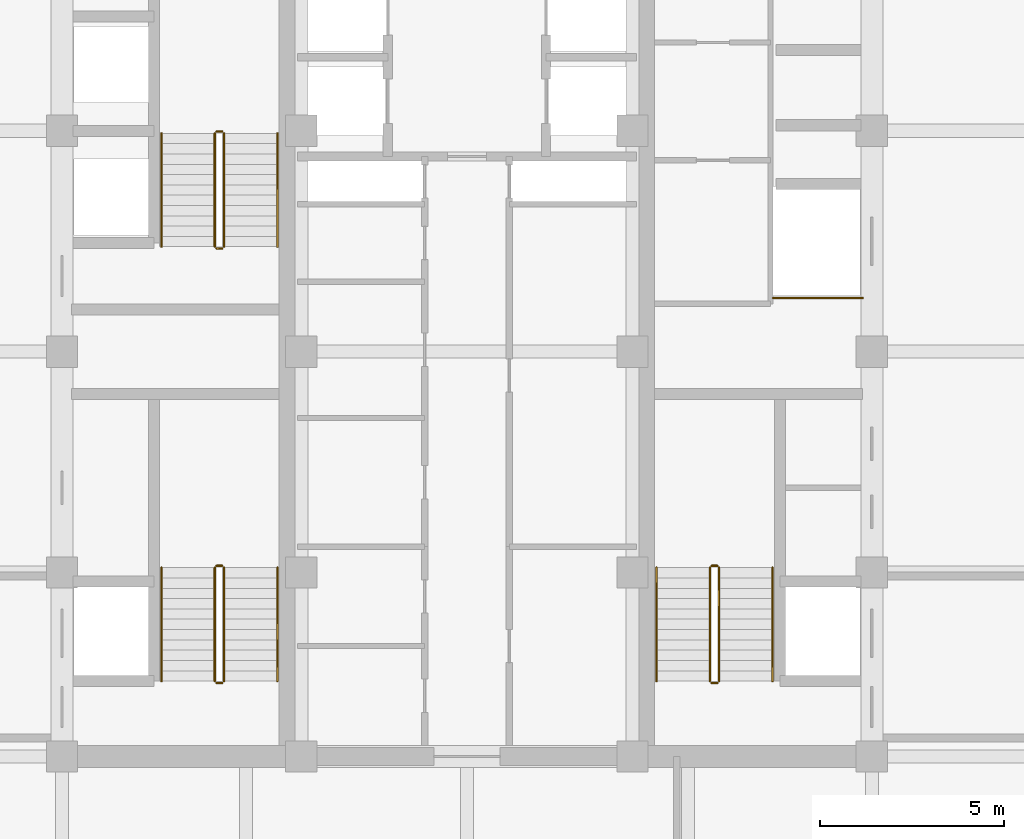
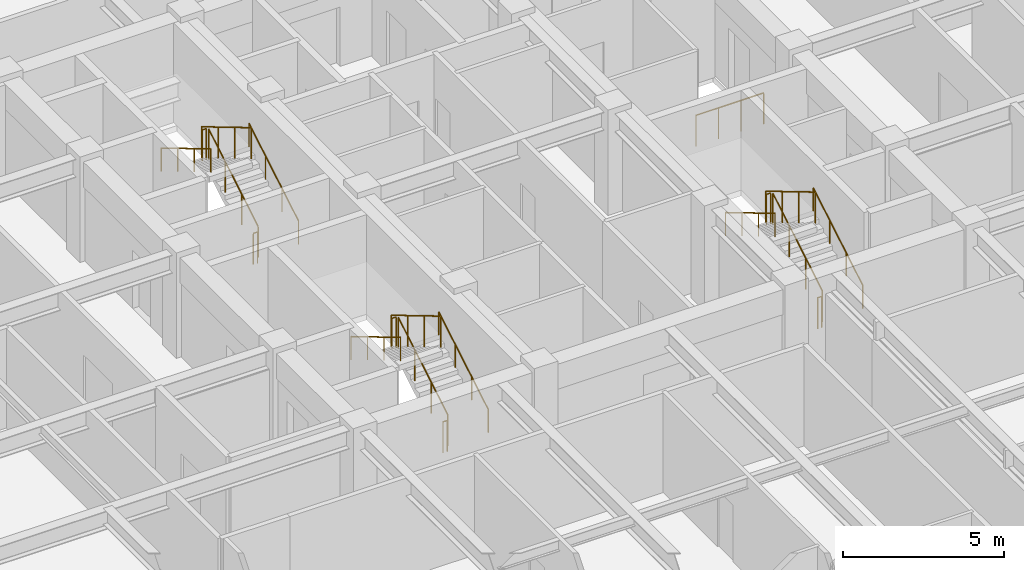
# One storey, part 24 of 24: 19 railings.
"""IFC4 building model written with IfcOpenShell, lengths in metres."""

import ifcopenshell
import ifcopenshell.guid

model = None  # the IFC model being written
_history = None  # IfcOwnerHistory: only IFC2X3 demands one
_inside = {}  # id of a spatial element -> (the spatial element, [elements in it])
_under = {}  # id of a project, library or spatial element -> (it, [spatial elements below it])
_declared = {}  # id of a project -> (the project, [libraries it declares])
_typed = {}  # id of a type object -> (the type object, [elements of that type])
_made_of = {}  # id of a material, layer set ... -> (it, [elements and type objects made of it])


def new_model(schema):
    """Start an empty IFC model of exactly this schema.

    Asked for "IFC4X3", IfcOpenShell would pick the latest addendum, in which some entities
    have other attributes; the version numbers below select the first issue.
    IFC2X3 requires an IfcOwnerHistory on every rooted entity: one is made here for all.
    """
    global model, _history
    if schema == "IFC4X3":
        model = ifcopenshell.file(schema_version=(4, 3, 0, 0))
    else:
        model = ifcopenshell.file(schema=schema)
    _inside.clear()
    _under.clear()
    _declared.clear()
    _typed.clear()
    _made_of.clear()
    _history = None
    if model.schema == "IFC2X3":
        org = make("IfcOrganization", Name="unknown")
        user = make(
            "IfcPersonAndOrganization",
            ThePerson=make("IfcPerson", FamilyName="unknown"),
            TheOrganization=org,
        )
        app = make(
            "IfcApplication",
            ApplicationDeveloper=org,
            Version="unknown",
            ApplicationFullName="unknown",
            ApplicationIdentifier="unknown",
        )
        _history = make(
            "IfcOwnerHistory",
            OwningUser=user,
            OwningApplication=app,
            ChangeAction="ADDED",
            CreationDate=0,
        )
    return model


def make(cls, **values):
    """One entity of the class cls with the attributes given. An attribute that is None is left unset."""
    return model.create_entity(
        cls, **{name: value for name, value in values.items() if value is not None}
    )


def rooted(cls, **values):
    """An entity with a GlobalId (a new one), such as an element, a storey or a relation."""
    return make(cls, GlobalId=ifcopenshell.guid.new(), OwnerHistory=_history, **values)


def si_unit(unit_type, name, prefix=None):
    """IfcSIUnit, for example si_unit("LENGTHUNIT", "METRE", prefix="MILLI")."""
    return make("IfcSIUnit", UnitType=unit_type, Prefix=prefix, Name=name)


def assignment(units):
    """IfcUnitAssignment: the units of a project."""
    return None if units is None else make("IfcUnitAssignment", Units=units)


def point(xyz):
    """IfcCartesianPoint."""
    return None if xyz is None else make("IfcCartesianPoint", Coordinates=xyz)


def direction(xyz):
    """IfcDirection."""
    return None if xyz is None else make("IfcDirection", DirectionRatios=xyz)


def frame(location, z_axis=None, x_axis=None):
    """IfcAxis2Placement3D, a coordinate frame: its origin and axes. An axis left out is left unset."""
    return make(
        "IfcAxis2Placement3D",
        Location=point(location),
        Axis=direction(z_axis),
        RefDirection=direction(x_axis),
    )


def frame_2d(location, x_axis=None):
    """IfcAxis2Placement2D, a coordinate frame in the plane: its origin and x axis."""
    return make(
        "IfcAxis2Placement2D", Location=point(location), RefDirection=direction(x_axis)
    )


def origin():
    """The frame at (0, 0, 0) with its axes left unset."""
    return frame((0.0, 0.0, 0.0))


def origin_2d():
    """The frame at (0, 0) in the plane with its x axis left unset."""
    return frame_2d((0.0, 0.0))


def place(relative_to, where):
    """IfcLocalPlacement: puts the frame where relative to a parent placement (None: the world)."""
    return make(
        "IfcLocalPlacement", PlacementRelTo=relative_to, RelativePlacement=where
    )


def context(
    kind, dimensions, precision=None, world=None, true_north=None, identifier=None
):
    """IfcGeometricRepresentationContext, for example the 3D "Model" context."""
    return make(
        "IfcGeometricRepresentationContext",
        ContextIdentifier=identifier,
        ContextType=kind,
        CoordinateSpaceDimension=dimensions,
        Precision=precision,
        WorldCoordinateSystem=world,
        TrueNorth=true_north,
    )


def subcontext(parent, identifier, kind, view, scale=None):
    """IfcGeometricRepresentationSubContext, for example "Body" below "Model"."""
    return make(
        "IfcGeometricRepresentationSubContext",
        ContextIdentifier=identifier,
        ContextType=kind,
        ParentContext=parent,
        TargetScale=scale,
        TargetView=view,
    )


def project(units=None, contexts=None):
    """IfcProject with its units and contexts."""
    return rooted(
        "IfcProject",
        Name="project",
        RepresentationContexts=contexts,
        UnitsInContext=assignment(units),
    )


def spatial(cls, under=None, at=None, **own):
    """A site, building, storey or space (cls), placed at a placement, below another one or the project."""
    s = rooted(cls, ObjectPlacement=at, **own)
    if under is not None:
        _under.setdefault(under.id(), (under, []))[1].append(s)
    return s


def profile(cls, at=None, kind="AREA", **sizes):
    """A parametric profile (cls). Its sizes go by their IFC names, for example OverallWidth=200.0."""
    return make(cls, ProfileType=kind, Position=at, **sizes)


def circle(**sizes):
    """IfcCircleProfileDef."""
    return profile("IfcCircleProfileDef", **sizes)


def extrude(swept, where, along, depth):
    """IfcExtrudedAreaSolid: the profile swept, set in the frame where, extruded along a direction by depth."""
    return make(
        "IfcExtrudedAreaSolid",
        SweptArea=swept,
        Position=where,
        ExtrudedDirection=direction(along),
        Depth=depth,
    )


def shape(context_of_items, identifier, shape_type, items):
    """IfcShapeRepresentation: the items that make up one representation, for example the "Body"."""
    return make(
        "IfcShapeRepresentation",
        ContextOfItems=context_of_items,
        RepresentationIdentifier=identifier,
        RepresentationType=shape_type,
        Items=items,
    )


def source(mapping_origin, context_of_items, identifier, shape_type, items):
    """IfcRepresentationMap: a shape defined once, which mapped items show again and again."""
    return make(
        "IfcRepresentationMap",
        MappingOrigin=mapping_origin,
        MappedRepresentation=shape(context_of_items, identifier, shape_type, items),
    )


def transform(
    local_origin,
    x_axis=None,
    y_axis=None,
    z_axis=None,
    scale=None,
    scale2=None,
    scale3=None,
    uniform=True,
):
    """IfcCartesianTransformationOperator3D, or its non-uniform kind. x_axis, y_axis, z_axis: its Axis1, 2, 3."""
    if uniform:
        return make(
            "IfcCartesianTransformationOperator3D",
            Axis1=direction(x_axis),
            Axis2=direction(y_axis),
            LocalOrigin=point(local_origin),
            Scale=scale,
            Axis3=direction(z_axis),
        )
    return make(
        "IfcCartesianTransformationOperator3DnonUniform",
        Axis1=direction(x_axis),
        Axis2=direction(y_axis),
        LocalOrigin=point(local_origin),
        Scale=scale,
        Axis3=direction(z_axis),
        Scale2=scale2,
        Scale3=scale3,
    )


def mapped(mapping_source, mapping_target):
    """IfcMappedItem: shows the shape of a source again, moved by a transform."""
    return make(
        "IfcMappedItem", MappingSource=mapping_source, MappingTarget=mapping_target
    )


def material(Name=None, Category=None):
    """IfcMaterial."""
    return make("IfcMaterial", Name=Name, Category=Category)


def made_of(thing, what):
    """Note that an element or type object is made of a material, layer set ...; save() writes the relation."""
    if what is not None:
        _made_of.setdefault(what.id(), (what, []))[1].append(thing)
    return thing


def type_object(cls, material=None, **own):
    """A type object (cls), such as IfcWallType, which elements share."""
    return made_of(rooted(cls, **own), material)


def element(
    cls,
    number,
    at=None,
    inside=None,
    cuts=None,
    type_object=None,
    material=None,
    context=None,
    identifier="Body",
    shape_type=None,
    held_by="IfcProductDefinitionShape",
    body=None,
    shapes=None,
    **own,
):
    """One element of the class cls, such as IfcWall. Its Tag is "e" and its number.

    at: its placement. inside: the storey or other place that contains it. cuts: it is an
    opening in that element (IfcRelVoidsElement). A single representation is given by context,
    identifier, shape_type and body (its items); several are given by shapes. held_by: the class
    of the entity that holds the representations. save() writes the other relations.
    """
    e = rooted(cls, Tag="e%d" % number, ObjectPlacement=at, **own)
    if body is not None:
        shapes = [shape(context, identifier, shape_type, body)]
    if shapes is not None:
        e.Representation = make(held_by, Representations=shapes)
    if inside is not None:
        _inside.setdefault(inside.id(), (inside, []))[1].append(e)
    if cuts is not None:
        rooted(
            "IfcRelVoidsElement", RelatingBuildingElement=cuts, RelatedOpeningElement=e
        )
    if type_object is not None:
        _typed.setdefault(type_object.id(), (type_object, []))[1].append(e)
    return made_of(e, material)


def aggregate(whole, parts):
    """IfcRelAggregates: a whole, such as a stair, and the parts it consists of."""
    return rooted("IfcRelAggregates", RelatingObject=whole, RelatedObjects=parts)


def save(model, path):
    """Write the relations noted so far, then the file.

    IfcRelAggregates (storeys below a building ...), IfcRelContainedInSpatialStructure (elements
    in a storey), IfcRelDefinesByType, IfcRelAssociatesMaterial and IfcRelDeclares: one each for
    every whole, place, type object, material and project.
    """
    for whole, parts in _under.values():
        aggregate(whole, parts)
    for where, things in _inside.values():
        rooted(
            "IfcRelContainedInSpatialStructure",
            RelatedElements=things,
            RelatingStructure=where,
        )
    for kind, things in _typed.values():
        rooted("IfcRelDefinesByType", RelatedObjects=things, RelatingType=kind)
    for what, things in _made_of.values():
        rooted("IfcRelAssociatesMaterial", RelatedObjects=things, RelatingMaterial=what)
    for by, libraries in _declared.values():
        rooted("IfcRelDeclares", RelatingContext=by, RelatedDefinitions=libraries)
    model.write(path)


model = new_model("IFC4")

# Units and contexts
model_context = context("Model", 3, precision=1e-05, world=origin(), true_north=direction((0.0, 1.0)))
body_context = subcontext(model_context, "Body", "Model", "MODEL_VIEW")
ifc_project = project(units=[si_unit("LENGTHUNIT", "METRE"), si_unit("AREAUNIT", "SQUARE_METRE"), si_unit("VOLUMEUNIT", "CUBIC_METRE"), si_unit("PLANEANGLEUNIT", "RADIAN"), si_unit("MASSUNIT", "GRAM", prefix="KILO")], contexts=[model_context])

# Site, building, storey
site_placement = place(None, origin())
site = spatial("IfcSite", under=ifc_project, at=site_placement, CompositionType="ELEMENT")
building_placement = place(site_placement, origin())
building = spatial("IfcBuilding", under=site, at=building_placement, Name="Khorayat Bourse Tower", CompositionType="ELEMENT")
storey_placement = place(building_placement, frame((0.0, 0.0, 215.10009765625)))
storey = spatial("IfcBuildingStorey", under=building, at=storey_placement, Name="L50", CompositionType="ELEMENT", Elevation=215.10009765625)

# Railings
ifc_material_1 = material(Name="Powder-coated steel balustrade", Category="steel")
railing_type_1 = type_object("IfcRailingType", Name="RLG-GUARD-1200", PredefinedType="GUARDRAIL", material=ifc_material_1)
shared_shape_1 = source(origin(), body_context, "Body", "SweptSolid", [
    extrude(circle(Radius=0.02392578125, at=origin_2d()), frame((0.0, 0.0, 1.17578125), z_axis=(-1.0, 0.0, 0.0), x_axis=(0.0, -1.0, 0.0)), (0.0, 0.0, 1.0), 0.150146484375),
    extrude(circle(Radius=0.02099609375, at=origin_2d()), origin(), (0.0, 0.0, 1.0), 1.15185546875),
    extrude(circle(Radius=0.02099609375, at=origin_2d()), frame((-0.150146484375, 0.0, 0.0)), (0.0, 0.0, 1.0), 1.15185546875),
])
for number, where, name in (
    (1, (-6.64990234375, -5.820068359375, 2.0), "L50 ST-1 stair guard 2"),
    (2, (-6.64990234375, -9.0, 0.0), "L50 ST-1 stair guard 4"),
    (3, (-6.64990234375, 5.97998046875, 2.0), "L50 ST-2 stair guard 2"),
    (4, (-6.64990234375, 2.800048828125, 0.0), "L50 ST-2 stair guard 4"),
    (5, (6.800048828125, -5.820068359375, 2.0), "L50 ST-3 stair guard 2"),
    (6, (6.800048828125, -9.0, 0.0), "L50 ST-3 stair guard 4"),
):
    element("IfcRailing", number, at=place(storey_placement, frame(where)), inside=storey, type_object=railing_type_1, Name=name, PredefinedType="GUARDRAIL", context=body_context, shape_type="MappedRepresentation", body=[
        mapped(shared_shape_1, transform((0.0, 0.0, 0.0), scale=1.0)),
    ])
shared_shape_2 = source(origin(), body_context, "Body", "SweptSolid", [
    extrude(circle(Radius=0.02392578125, at=origin_2d()), frame((0.0, 0.0, 1.17578125), z_axis=(0.0, 0.859260807169, 0.511537745687), x_axis=(-1.0, 0.0, 0.0)), (0.0, 0.0, 1.0), 3.584228515625),
    extrude(circle(Radius=0.02099609375, at=origin_2d()), origin(), (0.0, 0.0, 1.0), 1.15185546875),
    extrude(circle(Radius=0.02099609375, at=origin_2d()), frame((0.0, 1.026611328125, 0.611083984375)), (0.0, 0.0, 1.0), 1.15185546875),
    extrude(circle(Radius=0.02099609375, at=origin_2d()), frame((0.0, 2.05322265625, 1.222412109375)), (0.0, 0.0, 1.0), 1.15185546875),
    extrude(circle(Radius=0.02099609375, at=origin_2d()), frame((0.0, 3.079833984375, 1.83349609375)), (0.0, 0.0, 1.0), 1.15185546875),
])
for number, where, name in (
    (7, (-6.60009765625, -8.949951171875, 0.16650390625), "L50 ST-1 stair guard 1"),
    (8, (-6.60009765625, 2.85009765625, 0.16650390625), "L50 ST-2 stair guard 1"),
    (9, (6.85009765625, -8.949951171875, 0.16650390625), "L50 ST-3 stair guard 1"),
):
    element("IfcRailing", number, at=place(storey_placement, frame(where)), inside=storey, type_object=railing_type_1, Name=name, PredefinedType="GUARDRAIL", context=body_context, shape_type="MappedRepresentation", body=[
        mapped(shared_shape_2, transform((0.0, 0.0, 0.0), scale=1.0)),
    ])
shared_shape_3 = source(origin(), body_context, "Body", "SweptSolid", [
    extrude(circle(Radius=0.02392578125, at=origin_2d()), frame((0.0, 0.0, 1.17578125), z_axis=(0.0, -0.859260807169, 0.511537745687), x_axis=(1.0, 0.0, 0.0)), (0.0, 0.0, 1.0), 3.584228515625),
    extrude(circle(Radius=0.02099609375, at=origin_2d()), origin(), (0.0, 0.0, 1.0), 1.15185546875),
    extrude(circle(Radius=0.02099609375, at=origin_2d()), frame((0.0, -1.026611328125, 0.611083984375)), (0.0, 0.0, 1.0), 1.15185546875),
    extrude(circle(Radius=0.02099609375, at=origin_2d()), frame((0.0, -2.05322265625, 1.222412109375)), (0.0, 0.0, 1.0), 1.15185546875),
    extrude(circle(Radius=0.02099609375, at=origin_2d()), frame((0.0, -3.079833984375, 1.83349609375)), (0.0, 0.0, 1.0), 1.15185546875),
])
for number, where, name in (
    (10, (-6.85009765625, -5.8701171875, 2.16650390625), "L50 ST-1 stair guard 3"),
    (11, (-6.85009765625, 5.929931640625, 2.16650390625), "L50 ST-2 stair guard 3"),
    (12, (6.60009765625, -5.8701171875, 2.16650390625), "L50 ST-3 stair guard 3"),
):
    element("IfcRailing", number, at=place(storey_placement, frame(where)), inside=storey, type_object=railing_type_1, Name=name, PredefinedType="GUARDRAIL", context=body_context, shape_type="MappedRepresentation", body=[
        mapped(shared_shape_3, transform((0.0, 0.0, 0.0), scale=1.0)),
    ])
ifc_material_2 = material(Name="Brushed bronze stainless-steel handrail", Category="steel")
railing_type_2 = type_object("IfcRailingType", Name="RLG-HAND-900", PredefinedType="HANDRAIL", material=ifc_material_2)
shared_shape_4 = source(origin(), body_context, "Body", "SweptSolid", [
    extrude(circle(Radius=0.02392578125, at=origin_2d()), frame((0.0, 0.0, 0.8759765625), z_axis=(0.0, 0.859260807169, 0.511537745687), x_axis=(-1.0, 0.0, 0.0)), (0.0, 0.0, 1.0), 3.584228515625),
    extrude(circle(Radius=0.02099609375, at=origin_2d()), origin(), (0.0, 0.0, 1.0), 0.851806640625),
    extrude(circle(Radius=0.02099609375, at=origin_2d()), frame((0.0, 1.026611328125, 0.611083984375)), (0.0, 0.0, 1.0), 0.851806640625),
    extrude(circle(Radius=0.02099609375, at=origin_2d()), frame((0.0, 2.05322265625, 1.222412109375)), (0.0, 0.0, 1.0), 0.851806640625),
    extrude(circle(Radius=0.02099609375, at=origin_2d()), frame((0.0, 3.079833984375, 1.83349609375)), (0.0, 0.0, 1.0), 0.851806640625),
])
for number, where, name in (
    (13, (-5.14990234375, -8.949951171875, 0.16650390625), "L50 ST-1 stair handrail 1"),
    (14, (-5.14990234375, 2.85009765625, 0.16650390625), "L50 ST-2 stair handrail 1"),
    (15, (8.300048828125, -8.949951171875, 0.16650390625), "L50 ST-3 stair handrail 1"),
):
    element("IfcRailing", number, at=place(storey_placement, frame(where)), inside=storey, type_object=railing_type_2, Name=name, PredefinedType="HANDRAIL", context=body_context, shape_type="MappedRepresentation", body=[
        mapped(shared_shape_4, transform((0.0, 0.0, 0.0), scale=1.0)),
    ])
shared_shape_5 = source(origin(), body_context, "Body", "SweptSolid", [
    extrude(circle(Radius=0.02392578125, at=origin_2d()), frame((0.0, 0.0, 0.8759765625), z_axis=(0.0, -0.859260807169, 0.511537745687), x_axis=(1.0, 0.0, 0.0)), (0.0, 0.0, 1.0), 3.584228515625),
    extrude(circle(Radius=0.02099609375, at=origin_2d()), origin(), (0.0, 0.0, 1.0), 0.851806640625),
    extrude(circle(Radius=0.02099609375, at=origin_2d()), frame((0.0, -1.026611328125, 0.611083984375)), (0.0, 0.0, 1.0), 0.851806640625),
    extrude(circle(Radius=0.02099609375, at=origin_2d()), frame((0.0, -2.05322265625, 1.222412109375)), (0.0, 0.0, 1.0), 0.851806640625),
    extrude(circle(Radius=0.02099609375, at=origin_2d()), frame((0.0, -3.079833984375, 1.83349609375)), (0.0, 0.0, 1.0), 0.851806640625),
])
for number, where, name in (
    (16, (-8.300048828125, -5.8701171875, 2.16650390625), "L50 ST-1 stair handrail 2"),
    (17, (-8.300048828125, 5.929931640625, 2.16650390625), "L50 ST-2 stair handrail 2"),
    (18, (5.14990234375, -5.8701171875, 2.16650390625), "L50 ST-3 stair handrail 2"),
):
    element("IfcRailing", number, at=place(storey_placement, frame(where)), inside=storey, type_object=railing_type_2, Name=name, PredefinedType="HANDRAIL", context=body_context, shape_type="MappedRepresentation", body=[
        mapped(shared_shape_5, transform((0.0, 0.0, 0.0), scale=1.0)),
    ])
shared_shape_6 = source(origin(), body_context, "Body", "SweptSolid", [
    extrude(circle(Radius=0.02392578125, at=origin_2d()), frame((0.0, 0.0, 1.17578125), z_axis=(1.0, 0.0, 0.0), x_axis=(0.0, 1.0, 0.0)), (0.0, 0.0, 1.0), 2.429931640625),
    extrude(circle(Radius=0.02099609375, at=origin_2d()), origin(), (0.0, 0.0, 1.0), 1.15185546875),
    extrude(circle(Radius=0.02099609375, at=origin_2d()), frame((0.81005859375, 0.0, 0.0)), (0.0, 0.0, 1.0), 1.15185546875),
    extrude(circle(Radius=0.02099609375, at=origin_2d()), frame((1.619873046875, 0.0, 0.0)), (0.0, 0.0, 1.0), 1.15185546875),
    extrude(circle(Radius=0.02099609375, at=origin_2d()), frame((2.429931640625, 0.0, 0.0)), (0.0, 0.0, 1.0), 1.15185546875),
])
railing_placement = place(storey_placement, frame((8.320068359375, 1.4599609375, 0.0)))
element("IfcRailing", 19, at=railing_placement, inside=storey, type_object=railing_type_1, Name="L50 Goods Shaft Opening Guardrail", PredefinedType="GUARDRAIL", context=body_context, shape_type="MappedRepresentation", body=[
    mapped(shared_shape_6, transform((0.0, 0.0, 0.0), scale=1.0)),
])

save(model, "model.ifc")
